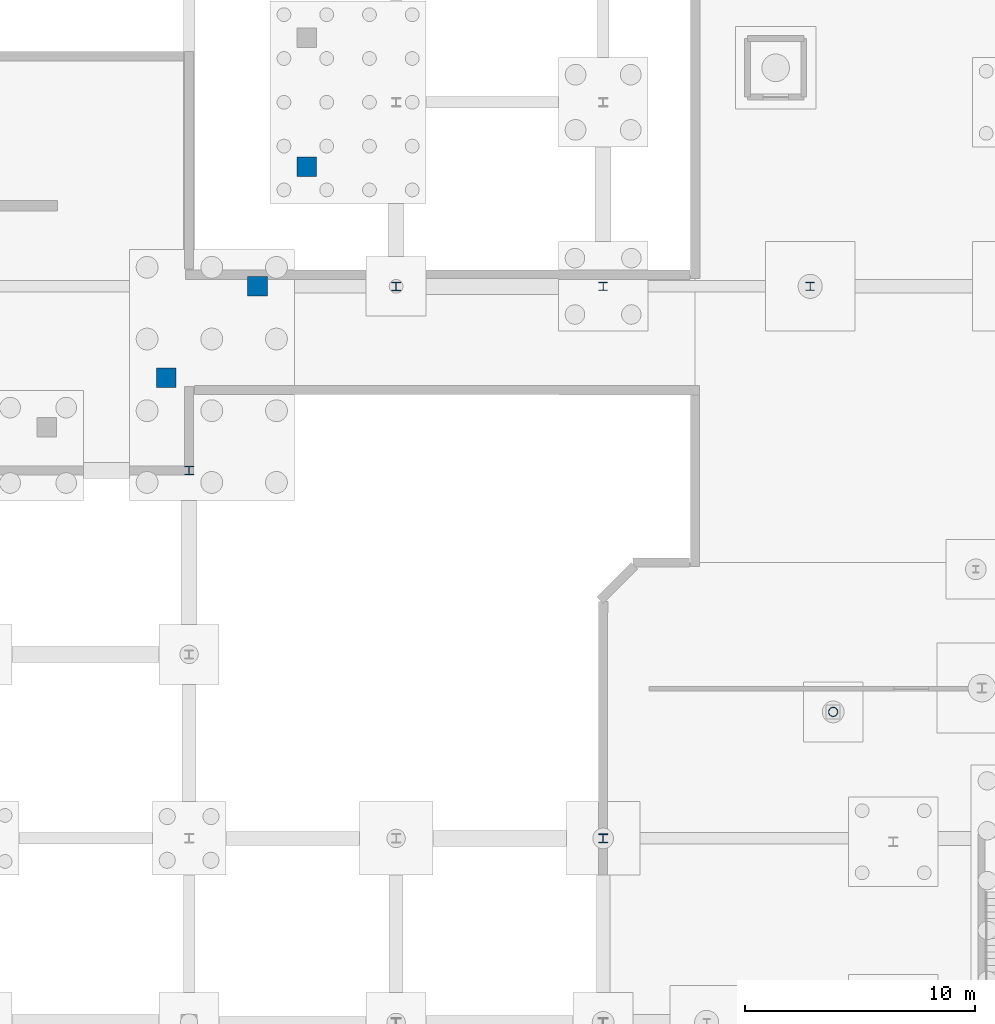
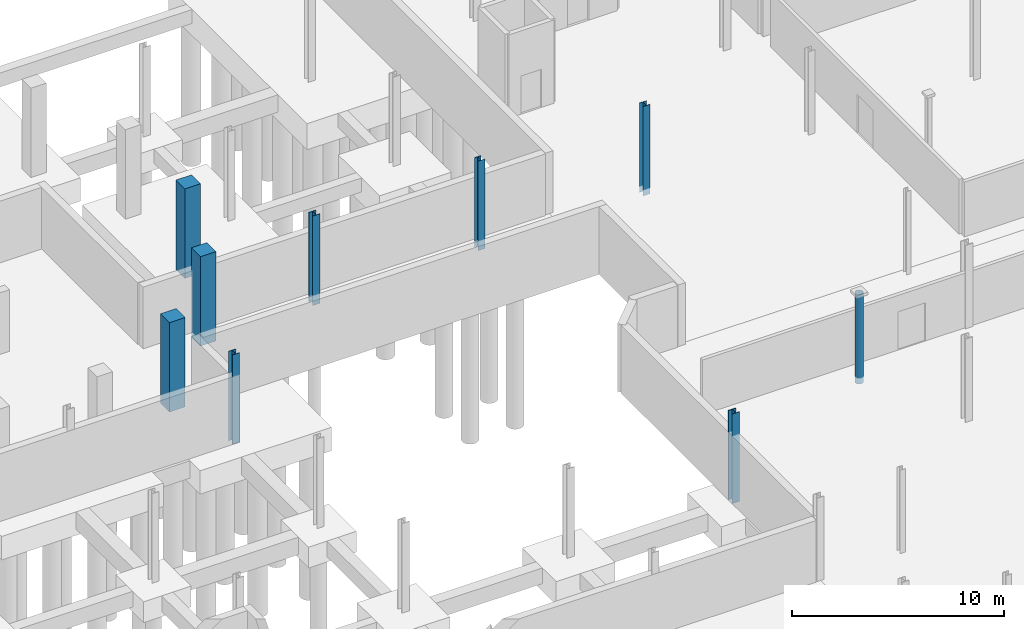
# One storey, part 14 of 37: 9 columns.
"""IFC4 building model written with IfcOpenShell, lengths in metres."""

import ifcopenshell
import ifcopenshell.guid

model = None  # the IFC model being written
_history = None  # IfcOwnerHistory: only IFC2X3 demands one
_inside = {}  # id of a spatial element -> (the spatial element, [elements in it])
_under = {}  # id of a project, library or spatial element -> (it, [spatial elements below it])
_declared = {}  # id of a project -> (the project, [libraries it declares])
_typed = {}  # id of a type object -> (the type object, [elements of that type])
_made_of = {}  # id of a material, layer set ... -> (it, [elements and type objects made of it])


def new_model(schema):
    """Start an empty IFC model of exactly this schema.

    Asked for "IFC4X3", IfcOpenShell would pick the latest addendum, in which some entities
    have other attributes; the version numbers below select the first issue.
    IFC2X3 requires an IfcOwnerHistory on every rooted entity: one is made here for all.
    """
    global model, _history
    if schema == "IFC4X3":
        model = ifcopenshell.file(schema_version=(4, 3, 0, 0))
    else:
        model = ifcopenshell.file(schema=schema)
    _inside.clear()
    _under.clear()
    _declared.clear()
    _typed.clear()
    _made_of.clear()
    _history = None
    if model.schema == "IFC2X3":
        org = make("IfcOrganization", Name="unknown")
        user = make(
            "IfcPersonAndOrganization",
            ThePerson=make("IfcPerson", FamilyName="unknown"),
            TheOrganization=org,
        )
        app = make(
            "IfcApplication",
            ApplicationDeveloper=org,
            Version="unknown",
            ApplicationFullName="unknown",
            ApplicationIdentifier="unknown",
        )
        _history = make(
            "IfcOwnerHistory",
            OwningUser=user,
            OwningApplication=app,
            ChangeAction="ADDED",
            CreationDate=0,
        )
    return model


def make(cls, **values):
    """One entity of the class cls with the attributes given. An attribute that is None is left unset."""
    return model.create_entity(
        cls, **{name: value for name, value in values.items() if value is not None}
    )


def rooted(cls, **values):
    """An entity with a GlobalId (a new one), such as an element, a storey or a relation."""
    return make(cls, GlobalId=ifcopenshell.guid.new(), OwnerHistory=_history, **values)


def si_unit(unit_type, name, prefix=None):
    """IfcSIUnit, for example si_unit("LENGTHUNIT", "METRE", prefix="MILLI")."""
    return make("IfcSIUnit", UnitType=unit_type, Prefix=prefix, Name=name)


def assignment(units):
    """IfcUnitAssignment: the units of a project."""
    return None if units is None else make("IfcUnitAssignment", Units=units)


def point(xyz):
    """IfcCartesianPoint."""
    return None if xyz is None else make("IfcCartesianPoint", Coordinates=xyz)


def direction(xyz):
    """IfcDirection."""
    return None if xyz is None else make("IfcDirection", DirectionRatios=xyz)


def frame(location, z_axis=None, x_axis=None):
    """IfcAxis2Placement3D, a coordinate frame: its origin and axes. An axis left out is left unset."""
    return make(
        "IfcAxis2Placement3D",
        Location=point(location),
        Axis=direction(z_axis),
        RefDirection=direction(x_axis),
    )


def frame_2d(location, x_axis=None):
    """IfcAxis2Placement2D, a coordinate frame in the plane: its origin and x axis."""
    return make(
        "IfcAxis2Placement2D", Location=point(location), RefDirection=direction(x_axis)
    )


def origin():
    """The frame at (0, 0, 0) with its axes left unset."""
    return frame((0.0, 0.0, 0.0))


def origin_2d():
    """The frame at (0, 0) in the plane with its x axis left unset."""
    return frame_2d((0.0, 0.0))


def place(relative_to, where):
    """IfcLocalPlacement: puts the frame where relative to a parent placement (None: the world)."""
    return make(
        "IfcLocalPlacement", PlacementRelTo=relative_to, RelativePlacement=where
    )


def context(
    kind, dimensions, precision=None, world=None, true_north=None, identifier=None
):
    """IfcGeometricRepresentationContext, for example the 3D "Model" context."""
    return make(
        "IfcGeometricRepresentationContext",
        ContextIdentifier=identifier,
        ContextType=kind,
        CoordinateSpaceDimension=dimensions,
        Precision=precision,
        WorldCoordinateSystem=world,
        TrueNorth=true_north,
    )


def subcontext(parent, identifier, kind, view, scale=None):
    """IfcGeometricRepresentationSubContext, for example "Body" below "Model"."""
    return make(
        "IfcGeometricRepresentationSubContext",
        ContextIdentifier=identifier,
        ContextType=kind,
        ParentContext=parent,
        TargetScale=scale,
        TargetView=view,
    )


def project(units=None, contexts=None):
    """IfcProject with its units and contexts."""
    return rooted(
        "IfcProject",
        Name="project",
        RepresentationContexts=contexts,
        UnitsInContext=assignment(units),
    )


def spatial(cls, under=None, at=None, **own):
    """A site, building, storey or space (cls), placed at a placement, below another one or the project."""
    s = rooted(cls, ObjectPlacement=at, **own)
    if under is not None:
        _under.setdefault(under.id(), (under, []))[1].append(s)
    return s


def profile(cls, at=None, kind="AREA", **sizes):
    """A parametric profile (cls). Its sizes go by their IFC names, for example OverallWidth=200.0."""
    return make(cls, ProfileType=kind, Position=at, **sizes)


def rectangle(**sizes):
    """IfcRectangleProfileDef."""
    return profile("IfcRectangleProfileDef", **sizes)


def hollow_circle(**sizes):
    """IfcCircleHollowProfileDef."""
    return profile("IfcCircleHollowProfileDef", **sizes)


def i_section(**sizes):
    """IfcIShapeProfileDef."""
    return profile("IfcIShapeProfileDef", **sizes)


def extrude(swept, where, along, depth):
    """IfcExtrudedAreaSolid: the profile swept, set in the frame where, extruded along a direction by depth."""
    return make(
        "IfcExtrudedAreaSolid",
        SweptArea=swept,
        Position=where,
        ExtrudedDirection=direction(along),
        Depth=depth,
    )


def shape(context_of_items, identifier, shape_type, items):
    """IfcShapeRepresentation: the items that make up one representation, for example the "Body"."""
    return make(
        "IfcShapeRepresentation",
        ContextOfItems=context_of_items,
        RepresentationIdentifier=identifier,
        RepresentationType=shape_type,
        Items=items,
    )


def material(Name=None, Category=None):
    """IfcMaterial."""
    return make("IfcMaterial", Name=Name, Category=Category)


def material_profile(
    of_material, cross_section, Name=None, Category=None, Priority=None
):
    """IfcMaterialProfile: a cross section and its material."""
    return make(
        "IfcMaterialProfile",
        Name=Name,
        Material=of_material,
        Profile=cross_section,
        Priority=Priority,
        Category=Category,
    )


def profile_set(profiles, Name=None, composite=None):
    """IfcMaterialProfileSet."""
    return make(
        "IfcMaterialProfileSet",
        Name=Name,
        MaterialProfiles=profiles,
        CompositeProfile=composite,
    )


def made_of(thing, what):
    """Note that an element or type object is made of a material, layer set ...; save() writes the relation."""
    if what is not None:
        _made_of.setdefault(what.id(), (what, []))[1].append(thing)
    return thing


def type_object(cls, material=None, **own):
    """A type object (cls), such as IfcWallType, which elements share."""
    return made_of(rooted(cls, **own), material)


def element(
    cls,
    number,
    at=None,
    inside=None,
    cuts=None,
    type_object=None,
    material=None,
    context=None,
    identifier="Body",
    shape_type=None,
    held_by="IfcProductDefinitionShape",
    body=None,
    shapes=None,
    **own,
):
    """One element of the class cls, such as IfcWall. Its Tag is "e" and its number.

    at: its placement. inside: the storey or other place that contains it. cuts: it is an
    opening in that element (IfcRelVoidsElement). A single representation is given by context,
    identifier, shape_type and body (its items); several are given by shapes. held_by: the class
    of the entity that holds the representations. save() writes the other relations.
    """
    e = rooted(cls, Tag="e%d" % number, ObjectPlacement=at, **own)
    if body is not None:
        shapes = [shape(context, identifier, shape_type, body)]
    if shapes is not None:
        e.Representation = make(held_by, Representations=shapes)
    if inside is not None:
        _inside.setdefault(inside.id(), (inside, []))[1].append(e)
    if cuts is not None:
        rooted(
            "IfcRelVoidsElement", RelatingBuildingElement=cuts, RelatedOpeningElement=e
        )
    if type_object is not None:
        _typed.setdefault(type_object.id(), (type_object, []))[1].append(e)
    return made_of(e, material)


def aggregate(whole, parts):
    """IfcRelAggregates: a whole, such as a stair, and the parts it consists of."""
    return rooted("IfcRelAggregates", RelatingObject=whole, RelatedObjects=parts)


def save(model, path):
    """Write the relations noted so far, then the file.

    IfcRelAggregates (storeys below a building ...), IfcRelContainedInSpatialStructure (elements
    in a storey), IfcRelDefinesByType, IfcRelAssociatesMaterial and IfcRelDeclares: one each for
    every whole, place, type object, material and project.
    """
    for whole, parts in _under.values():
        aggregate(whole, parts)
    for where, things in _inside.values():
        rooted(
            "IfcRelContainedInSpatialStructure",
            RelatedElements=things,
            RelatingStructure=where,
        )
    for kind, things in _typed.values():
        rooted("IfcRelDefinesByType", RelatedObjects=things, RelatingType=kind)
    for what, things in _made_of.values():
        rooted("IfcRelAssociatesMaterial", RelatedObjects=things, RelatingMaterial=what)
    for by, libraries in _declared.values():
        rooted("IfcRelDeclares", RelatingContext=by, RelatedDefinitions=libraries)
    model.write(path)


model = new_model("IFC4")

# Units and contexts
model_context = context("Model", 3, precision=1e-05, world=origin(), true_north=direction((0.0, 1.0)))
body_context = subcontext(model_context, "Body", "Model", "MODEL_VIEW")
ifc_project = project(units=[si_unit("LENGTHUNIT", "METRE"), si_unit("AREAUNIT", "SQUARE_METRE"), si_unit("VOLUMEUNIT", "CUBIC_METRE"), si_unit("PLANEANGLEUNIT", "RADIAN"), si_unit("MASSUNIT", "GRAM", prefix="KILO"), si_unit("THERMODYNAMICTEMPERATUREUNIT", "KELVIN"), si_unit("POWERUNIT", "WATT")], contexts=[model_context])

# Site, building, storey
site_placement = place(None, origin())
site = spatial("IfcSite", under=ifc_project, at=site_placement, CompositionType="ELEMENT")
building_placement = place(site_placement, origin())
building = spatial("IfcBuilding", under=site, at=building_placement, Name="Zelmaris Science Centre", CompositionType="ELEMENT")
storey_placement = place(building_placement, frame((0.0, 0.0, -4.800048828125)))
storey = spatial("IfcBuildingStorey", under=building, at=storey_placement, Name="B1", CompositionType="ELEMENT", Elevation=-4.800048828125)

# Columns
ifc_material_1 = material(Name="Steel ASTM A992 Grade 50", Category="steel")
ifc_material_profile_1 = material_profile(ifc_material_1, i_section(OverallWidth=0.39892578125, OverallDepth=0.385986328125, WebThickness=0.02099609375, FlangeThickness=0.033203125, FilletRadius=0.014892578125, at=origin_2d()), Name="W14X176")
ifc_profile_set_1 = profile_set([ifc_material_profile_1], Name="Steel ASTM A992 Grade 50")
column_type_1 = type_object("IfcColumnType", Name="Column C-04 W14X176", PredefinedType="COLUMN", material=ifc_profile_set_1)
column_1_placement = place(storey_placement, frame((54.0, 40.0, -0.349853515625), z_axis=(0.0, 0.0, 1.0), x_axis=(1.0, 0.0, 0.0)))
element("IfcColumn", 1, at=column_1_placement, inside=storey, type_object=column_type_1, Name="Column V3-P-54-40 B1", PredefinedType="COLUMN", context=body_context, shape_type="SweptSolid", body=[
    extrude(i_section(OverallWidth=0.39892578125, OverallDepth=0.385986328125, WebThickness=0.02099609375, FlangeThickness=0.033203125, FilletRadius=0.014892578125, at=origin_2d()), origin(), (0.0, 0.0, 1.0), 5.14990234375),
])
ifc_material_profile_2 = material_profile(ifc_material_1, i_section(OverallWidth=0.39404296875, OverallDepth=0.3759765625, WebThickness=0.017333984375, FlangeThickness=0.027587890625, FilletRadius=0.014892578125, at=origin_2d()), Name="W14X145")
ifc_profile_set_2 = profile_set([ifc_material_profile_2], Name="Steel ASTM A992 Grade 50")
column_type_2 = type_object("IfcColumnType", Name="Column C-05 W14X145", PredefinedType="COLUMN", material=ifc_profile_set_2)
for number, where, z_axis, x_axis, name in (
    (2, (36.0, 56.0, -0.349853515625), (0.0, 0.0, 1.0), (1.0, 0.0, 0.0), "Column V1-PC03 B1"),
    (3, (45.0, 64.0, -0.349853515625), (0.0, 0.0, 1.0), (1.0, 0.0, 0.0), "Column V1-PC10 B1"),
):
    element("IfcColumn", number, at=place(storey_placement, frame(where, z_axis=z_axis, x_axis=x_axis)), inside=storey, type_object=column_type_2, Name=name, PredefinedType="COLUMN", context=body_context, shape_type="SweptSolid", body=[
        extrude(i_section(OverallWidth=0.39404296875, OverallDepth=0.3759765625, WebThickness=0.017333984375, FlangeThickness=0.027587890625, FilletRadius=0.014892578125, at=origin_2d()), origin(), (0.0, 0.0, 1.0), 5.14990234375),
    ])
ifc_material_profile_3 = material_profile(ifc_material_1, i_section(OverallWidth=0.367919921875, OverallDepth=0.35595703125, WebThickness=0.01123046875, FlangeThickness=0.01806640625, FilletRadius=0.014892578125, at=origin_2d()), Name="W14X90")
ifc_profile_set_3 = profile_set([ifc_material_profile_3], Name="Steel ASTM A992 Grade 50")
column_type_3 = type_object("IfcColumnType", Name="Column C-07 W14X90", PredefinedType="COLUMN", material=ifc_profile_set_3)
for number, where, z_axis, x_axis, name in (
    (4, (54.0, 64.0, -0.349853515625), (0.0, 0.0, 1.0), (1.0, 0.0, 0.0), "Column V5-C-54-64 B1"),
    (5, (63.0, 64.0, -0.349853515625), (0.0, 0.0, 1.0), (1.0, 0.0, 0.0), "Column V5-C-63-64 B1"),
):
    element("IfcColumn", number, at=place(storey_placement, frame(where, z_axis=z_axis, x_axis=x_axis)), inside=storey, type_object=column_type_3, Name=name, PredefinedType="COLUMN", context=body_context, shape_type="SweptSolid", body=[
        extrude(i_section(OverallWidth=0.367919921875, OverallDepth=0.35595703125, WebThickness=0.01123046875, FlangeThickness=0.01806640625, FilletRadius=0.014892578125, at=origin_2d()), origin(), (0.0, 0.0, 1.0), 5.14990234375),
    ])
ifc_material_2 = material(Name="Steel ASTM A500 Grade C", Category="steel")
ifc_material_profile_4 = material_profile(ifc_material_2, hollow_circle(Radius=0.203125, WallThickness=0.0146484375, at=origin_2d()), Name="CHS406X16")
ifc_profile_set_4 = profile_set([ifc_material_profile_4], Name="Steel ASTM A500 Grade C")
column_type_4 = type_object("IfcColumnType", Name="Column C-12 CHS406X16", PredefinedType="COLUMN", material=ifc_profile_set_4)
column_2_placement = place(storey_placement, frame((64.0, 45.5, -0.349853515625), z_axis=(0.0, 0.0, 1.0), x_axis=(1.0, 0.0, 0.0)))
element("IfcColumn", 6, at=column_2_placement, inside=storey, type_object=column_type_4, Name="Column V2-B1P07 B1", PredefinedType="COLUMN", context=body_context, shape_type="SweptSolid", body=[
    extrude(hollow_circle(Radius=0.203125, WallThickness=0.0146484375, at=origin_2d()), origin(), (0.0, 0.0, 1.0), 5.14990234375),
])
ifc_material_3 = material(Name="Concrete C40/50", Category="concrete")
ifc_material_profile_5 = material_profile(ifc_material_3, rectangle(XDim=0.85009765625, YDim=0.85009765625, at=origin_2d()), Name="RC-COL-850X850")
ifc_profile_set_5 = profile_set([ifc_material_profile_5], Name="Concrete C40/50")
column_type_5 = type_object("IfcColumnType", Name="Column C-14 RC-COL-850X850", PredefinedType="COLUMN", material=ifc_profile_set_5)
for number, where, z_axis, x_axis, name in (
    (7, (35.000244140625, 60.02685546875, -0.349853515625), (0.0, 0.0, 1.0), (1.0, 0.0, 0.0), "Column V1-DC14 B1"),
    (8, (38.97314453125, 63.999755859375, -0.349853515625), (0.0, 0.0, 1.0), (1.0, 0.0, 0.0), "Column V1-DC15 B1"),
    (9, (41.123291015625, 69.190673828125, -0.349853515625), (0.0, 0.0, 1.0), (1.0, 0.0, 0.0), "Column V1-DC16 B1"),
):
    element("IfcColumn", number, at=place(storey_placement, frame(where, z_axis=z_axis, x_axis=x_axis)), inside=storey, type_object=column_type_5, Name=name, PredefinedType="COLUMN", context=body_context, shape_type="SweptSolid", body=[
        extrude(rectangle(XDim=0.85009765625, YDim=0.85009765625, at=origin_2d()), origin(), (0.0, 0.0, 1.0), 5.14990234375),
    ])

save(model, "model.ifc")
